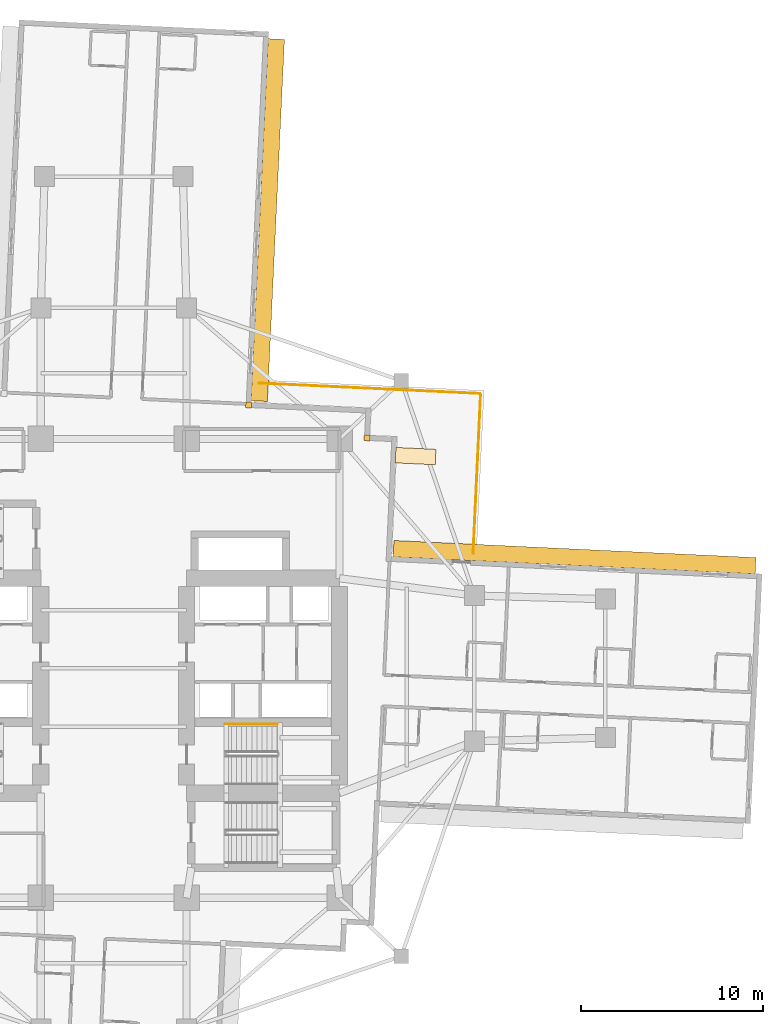
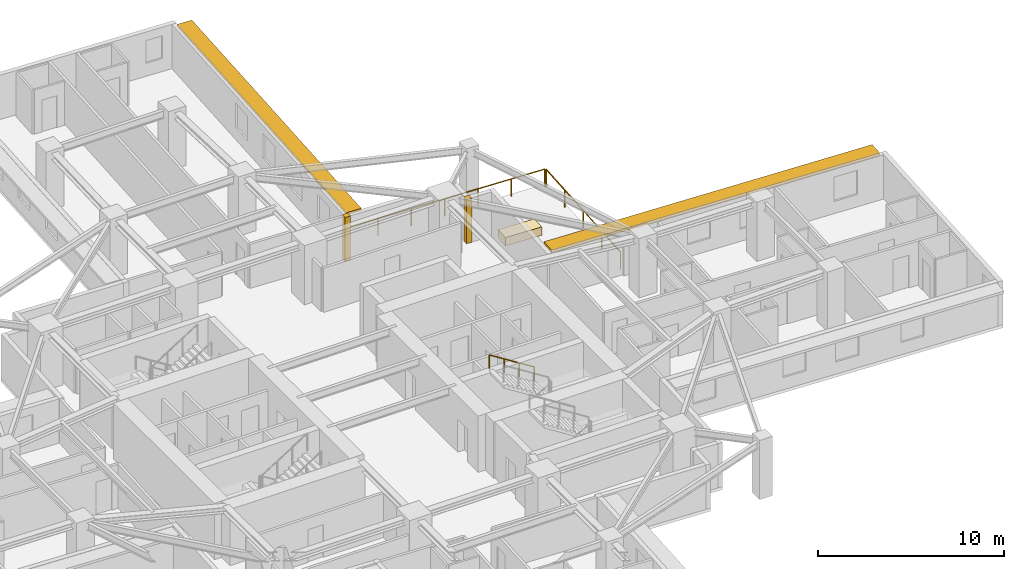
# One storey, part 14 of 14: 3 coverings, 3 railings, 2 shading devices.
"""IFC4 building model written with IfcOpenShell, lengths in metres."""

from ifc_helpers import new_model, si_unit, direction, frame, origin, origin_2d, place, context, subcontext, project, spatial, rectangle, circle, extrude, material, layer, layer_set, type_object, element, save


model = new_model("IFC4")

# Units and contexts
model_context = context("Model", 3, precision=1e-05, world=origin(), true_north=direction((0.0, 1.0)))
body_context = subcontext(model_context, "Body", "Model", "MODEL_VIEW")
ifc_project = project(units=[si_unit("LENGTHUNIT", "METRE"), si_unit("AREAUNIT", "SQUARE_METRE"), si_unit("VOLUMEUNIT", "CUBIC_METRE"), si_unit("PLANEANGLEUNIT", "RADIAN"), si_unit("MASSUNIT", "GRAM", prefix="KILO")], contexts=[model_context])

# Site, building, storey
site_placement = place(None, origin())
site = spatial("IfcSite", under=ifc_project, at=site_placement, CompositionType="ELEMENT")
building_placement = place(site_placement, origin())
building = spatial("IfcBuilding", under=site, at=building_placement, Name="Qingluan Cross Belvedere", CompositionType="ELEMENT")
storey_placement = place(building_placement, frame((0.0, 0.0, 75.60009765625)))
storey = spatial("IfcBuildingStorey", under=building, at=storey_placement, Name="L19", CompositionType="ELEMENT", Elevation=75.60009765625)

# Coverings
ifc_material_1 = material(Name="Precast concrete C45", Category="concrete")
ifc_layer_1 = layer(ifc_material_1, 0.1201171875, Name="ConcreteSpandrelCladding_120")
ifc_layer_set_1 = layer_set([ifc_layer_1], Name="Precast concrete C45")
covering_type_1 = type_object("IfcCoveringType", Name="ConcreteSpandrelCladding_120", PredefinedType="CLADDING", material=ifc_layer_set_1)
for number, where, z_axis, x_axis, name in (
    (1, (13.911865234375, 12.65869140625, 0.0), (0.0, 0.0, 1.0), (0.998889874962, -0.04710645071, 0.0), "Corner closure L19-NE1"),
    (2, (7.40966796875, 14.467041015625, 0.0), (0.0, 0.0, 1.0), (0.998889874962, -0.04710645071, 0.0), "Corner closure L19-NE2"),
):
    element("IfcCovering", number, at=place(storey_placement, frame(where, z_axis=z_axis, x_axis=x_axis)), inside=storey, type_object=covering_type_1, Name=name, PredefinedType="CLADDING", context=body_context, shape_type="SweptSolid", body=[
        extrude(rectangle(XDim=0.320068359375, YDim=0.320068359375, at=origin_2d()), origin(), (0.0, 0.0, 1.0), 2.909912109375),
    ])

# Shading devices
ifc_material_2 = material(Name="Precast concrete C45", Category="concrete")
ifc_layer_2 = layer(ifc_material_2, 0.159912109375, Name="ConcreteSunshadeBand_900")
ifc_layer_set_2 = layer_set([ifc_layer_2], Name="Precast concrete C45")
shading_device_type = type_object("IfcShadingDeviceType", Name="ConcreteSunshadeBand_900", PredefinedType="USERDEFINED", material=ifc_layer_set_2)
for number, where, z_axis, x_axis, name in (
    (3, (25.3056640625, 6.104736328125, 2.72998046875), (0.0, 0.0, 1.0), (-0.998889735192, 0.04710941444, 0.0), "Concrete SUNSHADE L19-EB"),
    (4, (8.458984375, 24.618896484375, 2.72998046875), (0.0, 0.0, 1.0), (0.047104684445, 0.998889958255, 0.0), "Concrete SUNSHADE L19-NA"),
):
    element("IfcShadingDevice", number, at=place(storey_placement, frame(where, z_axis=z_axis, x_axis=x_axis)), inside=storey, type_object=shading_device_type, Name=name, ObjectType="SUNSHADE", PredefinedType="USERDEFINED", context=body_context, shape_type="SweptSolid", body=[
        extrude(rectangle(XDim=19.89990234375, YDim=0.89990234375, at=origin_2d()), origin(), (0.0, 0.0, 1.0), 0.159912109375),
    ])

# Railings
ifc_material_3 = material(Name="Brushed stainless steel tubular handrail", Category="steel")
railing_type_1 = type_object("IfcRailingType", Name="StairPitchHandrail_900", PredefinedType="HANDRAIL", material=ifc_material_3)
railing_1_placement = place(storey_placement, frame((8.97998046875, -3.050048828125, 2.127197265625)))
element("IfcRailing", 5, at=railing_1_placement, inside=storey, type_object=railing_type_1, Name="L19 ST2 stair handrail 2", PredefinedType="HANDRAIL", context=body_context, shape_type="SweptSolid", body=[
    extrude(circle(Radius=0.02392578125, at=origin_2d()), frame((0.0, 0.0, 0.8759765625), z_axis=(-0.844908973607, 0.0, 0.534910110503), x_axis=(0.0, -1.0, 0.0)), (0.0, 0.0, 1.0), 3.31396484375),
    extrude(circle(Radius=0.02099609375, at=origin_2d()), origin(), (0.0, 0.0, 1.0), 0.851806640625),
    extrude(circle(Radius=0.02099609375, at=origin_2d()), frame((-0.933349609375, 0.0, 0.5908203125)), (0.0, 0.0, 1.0), 0.851806640625),
    extrude(circle(Radius=0.02099609375, at=origin_2d()), frame((-1.86669921875, 0.0, 1.181884765625)), (0.0, 0.0, 1.0), 0.851806640625),
    extrude(circle(Radius=0.02099609375, at=origin_2d()), frame((-2.800048828125, 0.0, 1.772705078125)), (0.0, 0.0, 1.0), 0.851806640625),
])
ifc_material_4 = material(Name="Laminated glass and stainless steel balustrade", Category="steel")
railing_type_2 = type_object("IfcRailingType", Name="TerraceGuardBalustrade_1150", PredefinedType="BALUSTRADE", material=ifc_material_4)
railing_2_placement = place(storey_placement, frame((7.98681640625, 15.6611328125, 0.0)))
element("IfcRailing", 6, at=railing_2_placement, inside=storey, type_object=railing_type_2, Name="Terrace guard L19-1", PredefinedType="BALUSTRADE", context=body_context, shape_type="SweptSolid", body=[
    extrude(circle(Radius=0.02392578125, at=origin_2d()), frame((0.0, 0.0, 1.1259765625), z_axis=(0.998889411148, -0.047116284841, 0.0), x_axis=(0.047116284841, 0.998889411148, 0.0)), (0.0, 0.0, 1.0), 12.119873046875),
    extrude(circle(Radius=0.02099609375, at=origin_2d()), origin(), (0.0, 0.0, 1.0), 1.101806640625),
    extrude(circle(Radius=0.02099609375, at=origin_2d()), frame((2.017822265625, -0.09521484375, 0.0)), (0.0, 0.0, 1.0), 1.101806640625),
    extrude(circle(Radius=0.02099609375, at=origin_2d()), frame((4.035400390625, -0.1904296875, 0.0)), (0.0, 0.0, 1.0), 1.101806640625),
    extrude(circle(Radius=0.02099609375, at=origin_2d()), frame((6.05322265625, -0.28564453125, 0.0)), (0.0, 0.0, 1.0), 1.101806640625),
    extrude(circle(Radius=0.02099609375, at=origin_2d()), frame((8.071044921875, -0.380615234375, 0.0)), (0.0, 0.0, 1.0), 1.101806640625),
    extrude(circle(Radius=0.02099609375, at=origin_2d()), frame((10.088623046875, -0.475830078125, 0.0)), (0.0, 0.0, 1.0), 1.101806640625),
    extrude(circle(Radius=0.02099609375, at=origin_2d()), frame((12.1064453125, -0.571044921875, 0.0)), (0.0, 0.0, 1.0), 1.101806640625),
])
railing_3_placement = place(storey_placement, frame((20.150390625, 15.02734375, 0.0)))
element("IfcRailing", 7, at=railing_3_placement, inside=storey, type_object=railing_type_2, Name="Terrace guard L19-2", PredefinedType="BALUSTRADE", context=body_context, shape_type="SweptSolid", body=[
    extrude(circle(Radius=0.02392578125, at=origin_2d()), frame((0.0, 0.0, 1.1259765625), z_axis=(-0.047120848632, -0.998889195869, 0.0), x_axis=(0.998889195869, -0.047120848632, 0.0)), (0.0, 0.0, 1.0), 8.719970703125),
    extrude(circle(Radius=0.02099609375, at=origin_2d()), origin(), (0.0, 0.0, 1.0), 1.101806640625),
    extrude(circle(Radius=0.02099609375, at=origin_2d()), frame((-0.102783203125, -2.177490234375, 0.0)), (0.0, 0.0, 1.0), 1.101806640625),
    extrude(circle(Radius=0.02099609375, at=origin_2d()), frame((-0.20556640625, -4.35498046875, 0.0)), (0.0, 0.0, 1.0), 1.101806640625),
    extrude(circle(Radius=0.02099609375, at=origin_2d()), frame((-0.30810546875, -6.53271484375, 0.0)), (0.0, 0.0, 1.0), 1.101806640625),
    extrude(circle(Radius=0.02099609375, at=origin_2d()), frame((-0.410888671875, -8.710205078125, 0.0)), (0.0, 0.0, 1.0), 1.101806640625),
])

# Covering
ifc_material_5 = material(Name="Precast concrete C40", Category="concrete")
ifc_layer_3 = layer(ifc_material_5, 0.550048828125, Name="TerracePlanterBox")
ifc_layer_set_3 = layer_set([ifc_layer_3], Name="Precast concrete C40")
covering_type_2 = type_object("IfcCoveringType", Name="TerracePlanterBox", PredefinedType="USERDEFINED", material=ifc_layer_set_3)
covering_placement = place(storey_placement, frame((16.576904296875, 11.656982421875, 0.0), z_axis=(0.0, 0.0, 1.0), x_axis=(0.998889874962, -0.04710645071, 0.0)))
element("IfcCovering", 8, at=covering_placement, inside=storey, type_object=covering_type_2, Name="Spiralling winter-garden planter L19", ObjectType="PLANTER", PredefinedType="USERDEFINED", context=body_context, shape_type="SweptSolid", body=[
    extrude(rectangle(XDim=2.199951171875, YDim=0.85009765625, at=origin_2d()), origin(), (0.0, 0.0, 1.0), 0.550048828125),
])

save(model, "model.ifc")
